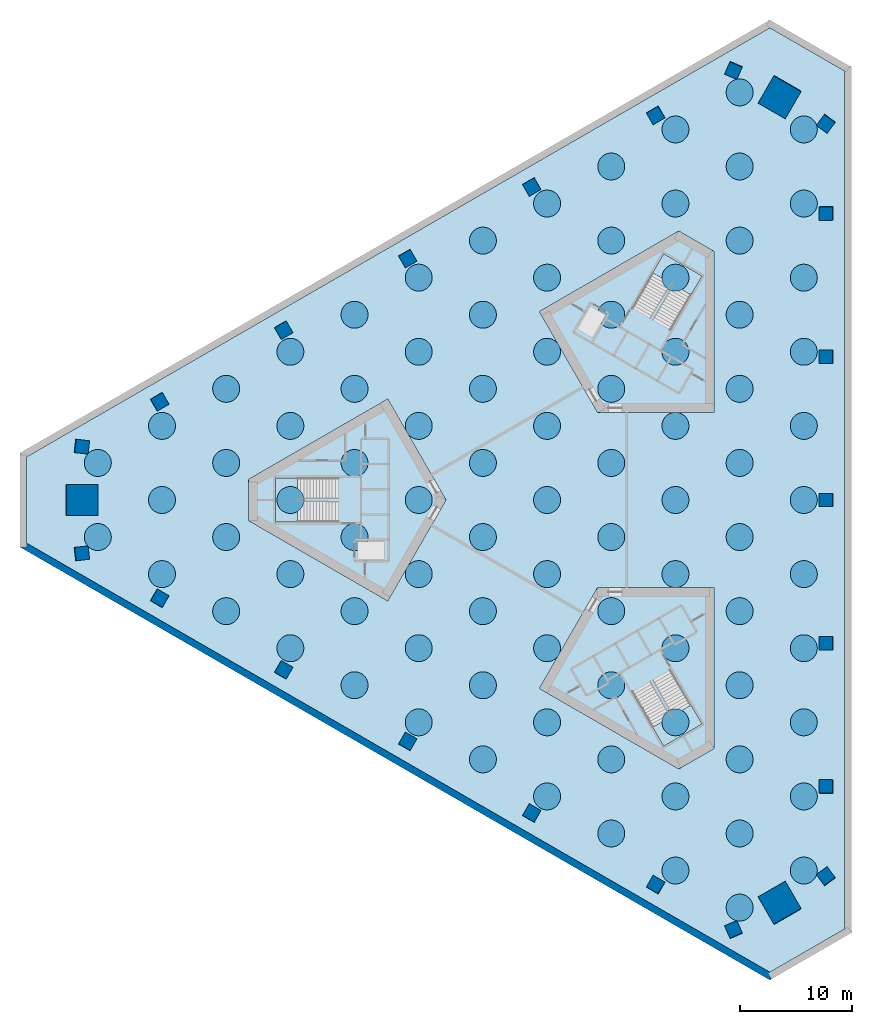
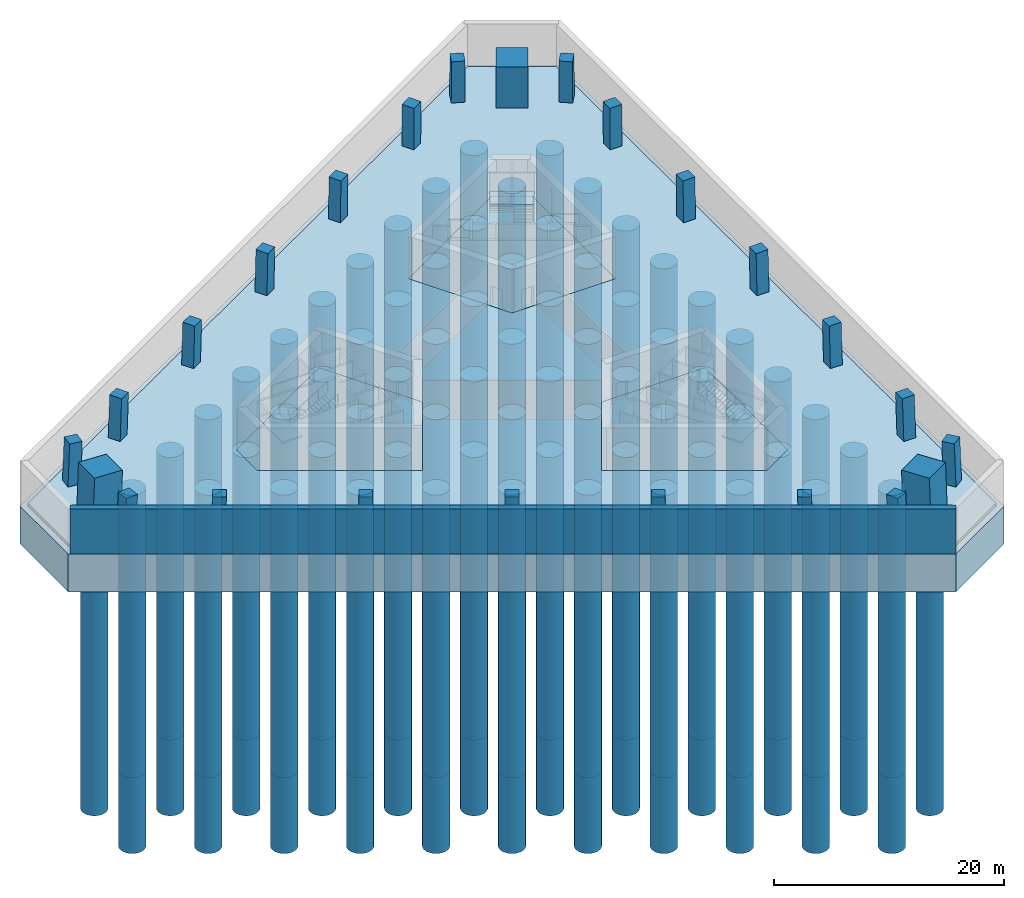
# One storey, part 1 of 7: 88 piles, 24 columns, 7 slabs, 1 footing, 1 wall, 3 elements without a shape of their own.
"""IFC4 building model written with IfcOpenShell, lengths in metres."""

from ifc_helpers import new_model, si_unit, direction, frame, frame_2d, origin, origin_2d, place, context, subcontext, project, spatial, polyline, rectangle, circle, outline, extrude, material, layer, layer_set, material_profile, profile_set, type_object, element, aggregate, save


model = new_model("IFC4")

# Units and contexts
model_context = context("Model", 3, precision=1e-05, world=origin(), true_north=direction((0.0, 1.0)))
body_context = subcontext(model_context, "Body", "Model", "MODEL_VIEW")
ifc_project = project(units=[si_unit("LENGTHUNIT", "METRE"), si_unit("AREAUNIT", "SQUARE_METRE"), si_unit("VOLUMEUNIT", "CUBIC_METRE"), si_unit("PLANEANGLEUNIT", "RADIAN"), si_unit("MASSUNIT", "GRAM", prefix="KILO")], contexts=[model_context])

# Site, building, storey
site_placement = place(None, origin())
site = spatial("IfcSite", under=ifc_project, at=site_placement, CompositionType="ELEMENT")
building_placement = place(site_placement, origin())
building = spatial("IfcBuilding", under=site, at=building_placement, Name="Jabali Bay Hotel Tower and Convention Centre", CompositionType="ELEMENT")
storey_placement = place(building_placement, frame((0.0, 0.0, -9.0)))
storey = spatial("IfcBuildingStorey", under=building, at=storey_placement, Name="B2", CompositionType="ELEMENT", Elevation=-9.0)

# Piles
ifc_material_1 = material(Name="Concrete C45", Category="concrete")
ifc_material_profile_1 = material_profile(ifc_material_1, circle(Radius=1.199951171875, at=origin_2d()), Name="Bored pile 2400")
ifc_profile_set_1 = profile_set([ifc_material_profile_1], Name="Concrete C45")
pile_type = type_object("IfcPileType", Name="Bored pile 2400", PredefinedType="BORED", material=ifc_profile_set_1)
for number, where, z_axis, x_axis, name in (
    (1, (92.147216796875, 43.699951171875, -4.199951171875), (0.0, 0.0, -1.0), (1.0, 0.0, 0.0), "Pile 001"),
    (2, (86.431640625, 47.0, -4.199951171875), (0.0, 0.0, -1.0), (1.0, 0.0, 0.0), "Pile 002"),
    (3, (97.863037109375, 47.0, -4.199951171875), (0.0, 0.0, -1.0), (1.0, 0.0, 0.0), "Pile 003"),
    (4, (80.7158203125, 50.300048828125, -4.199951171875), (0.0, 0.0, -1.0), (1.0, 0.0, 0.0), "Pile 004"),
    (5, (92.147216796875, 50.300048828125, -4.199951171875), (0.0, 0.0, -1.0), (1.0, 0.0, 0.0), "Pile 005"),
    (6, (75.0, 53.60009765625, -4.199951171875), (0.0, 0.0, -1.0), (1.0, 0.0, 0.0), "Pile 006"),
    (7, (86.431640625, 53.60009765625, -4.199951171875), (0.0, 0.0, -1.0), (1.0, 0.0, 0.0), "Pile 007"),
    (8, (97.863037109375, 53.60009765625, -4.199951171875), (0.0, 0.0, -1.0), (1.0, 0.0, 0.0), "Pile 008"),
    (9, (69.2841796875, 56.89990234375, -4.199951171875), (0.0, 0.0, -1.0), (1.0, 0.0, 0.0), "Pile 009"),
    (10, (80.7158203125, 56.89990234375, -4.199951171875), (0.0, 0.0, -1.0), (1.0, 0.0, 0.0), "Pile 010"),
    (11, (92.147216796875, 56.89990234375, -4.199951171875), (0.0, 0.0, -1.0), (1.0, 0.0, 0.0), "Pile 011"),
    (12, (63.568359375, 60.199951171875, -4.199951171875), (0.0, 0.0, -1.0), (1.0, 0.0, 0.0), "Pile 012"),
    (13, (75.0, 60.199951171875, -4.199951171875), (0.0, 0.0, -1.0), (1.0, 0.0, 0.0), "Pile 013"),
    (14, (86.431640625, 60.199951171875, -4.199951171875), (0.0, 0.0, -1.0), (1.0, 0.0, 0.0), "Pile 014"),
    (15, (97.863037109375, 60.199951171875, -4.199951171875), (0.0, 0.0, -1.0), (1.0, 0.0, 0.0), "Pile 015"),
    (16, (57.852783203125, 63.5, -4.199951171875), (0.0, 0.0, -1.0), (1.0, 0.0, 0.0), "Pile 016"),
    (17, (69.2841796875, 63.5, -4.199951171875), (0.0, 0.0, -1.0), (1.0, 0.0, 0.0), "Pile 017"),
    (18, (80.7158203125, 63.5, -4.199951171875), (0.0, 0.0, -1.0), (1.0, 0.0, 0.0), "Pile 018"),
    (19, (92.147216796875, 63.5, -4.199951171875), (0.0, 0.0, -1.0), (1.0, 0.0, 0.0), "Pile 019"),
    (20, (52.136962890625, 66.800048828125, -4.199951171875), (0.0, 0.0, -1.0), (1.0, 0.0, 0.0), "Pile 020"),
    (21, (63.568359375, 66.800048828125, -4.199951171875), (0.0, 0.0, -1.0), (1.0, 0.0, 0.0), "Pile 021"),
    (22, (75.0, 66.800048828125, -4.199951171875), (0.0, 0.0, -1.0), (1.0, 0.0, 0.0), "Pile 022"),
    (23, (86.431640625, 66.800048828125, -4.199951171875), (0.0, 0.0, -1.0), (1.0, 0.0, 0.0), "Pile 023"),
    (24, (97.863037109375, 66.800048828125, -4.199951171875), (0.0, 0.0, -1.0), (1.0, 0.0, 0.0), "Pile 024"),
    (25, (46.421142578125, 70.10009765625, -4.199951171875), (0.0, 0.0, -1.0), (1.0, 0.0, 0.0), "Pile 025"),
    (26, (57.852783203125, 70.10009765625, -4.199951171875), (0.0, 0.0, -1.0), (1.0, 0.0, 0.0), "Pile 026"),
    (27, (69.2841796875, 70.10009765625, -4.199951171875), (0.0, 0.0, -1.0), (1.0, 0.0, 0.0), "Pile 027"),
    (28, (80.7158203125, 70.10009765625, -4.199951171875), (0.0, 0.0, -1.0), (1.0, 0.0, 0.0), "Pile 028"),
    (29, (92.147216796875, 70.10009765625, -4.199951171875), (0.0, 0.0, -1.0), (1.0, 0.0, 0.0), "Pile 029"),
    (30, (40.705322265625, 73.39990234375, -4.199951171875), (0.0, 0.0, -1.0), (1.0, 0.0, 0.0), "Pile 030"),
    (31, (52.136962890625, 73.39990234375, -4.199951171875), (0.0, 0.0, -1.0), (1.0, 0.0, 0.0), "Pile 031"),
    (32, (63.568359375, 73.39990234375, -4.199951171875), (0.0, 0.0, -1.0), (1.0, 0.0, 0.0), "Pile 032"),
    (33, (75.0, 73.39990234375, -4.199951171875), (0.0, 0.0, -1.0), (1.0, 0.0, 0.0), "Pile 033"),
    (34, (86.431640625, 73.39990234375, -4.199951171875), (0.0, 0.0, -1.0), (1.0, 0.0, 0.0), "Pile 034"),
    (35, (97.863037109375, 73.39990234375, -4.199951171875), (0.0, 0.0, -1.0), (1.0, 0.0, 0.0), "Pile 035"),
    (36, (34.98974609375, 76.699951171875, -4.199951171875), (0.0, 0.0, -1.0), (1.0, 0.0, 0.0), "Pile 036"),
    (37, (46.421142578125, 76.699951171875, -4.199951171875), (0.0, 0.0, -1.0), (1.0, 0.0, 0.0), "Pile 037"),
    (38, (57.852783203125, 76.699951171875, -4.199951171875), (0.0, 0.0, -1.0), (1.0, 0.0, 0.0), "Pile 038"),
    (39, (69.2841796875, 76.699951171875, -4.199951171875), (0.0, 0.0, -1.0), (1.0, 0.0, 0.0), "Pile 039"),
    (40, (80.7158203125, 76.699951171875, -4.199951171875), (0.0, 0.0, -1.0), (1.0, 0.0, 0.0), "Pile 040"),
    (41, (92.147216796875, 76.699951171875, -4.199951171875), (0.0, 0.0, -1.0), (1.0, 0.0, 0.0), "Pile 041"),
    (42, (40.705322265625, 80.0, -4.199951171875), (0.0, 0.0, -1.0), (1.0, 0.0, 0.0), "Pile 042"),
    (43, (52.136962890625, 80.0, -4.199951171875), (0.0, 0.0, -1.0), (1.0, 0.0, 0.0), "Pile 043"),
    (44, (63.568359375, 80.0, -4.199951171875), (0.0, 0.0, -1.0), (1.0, 0.0, 0.0), "Pile 044"),
    (45, (75.0, 80.0, -4.199951171875), (0.0, 0.0, -1.0), (1.0, 0.0, 0.0), "Pile 045"),
    (46, (86.431640625, 80.0, -4.199951171875), (0.0, 0.0, -1.0), (1.0, 0.0, 0.0), "Pile 046"),
    (47, (97.863037109375, 80.0, -4.199951171875), (0.0, 0.0, -1.0), (1.0, 0.0, 0.0), "Pile 047"),
    (48, (34.98974609375, 83.300048828125, -4.199951171875), (0.0, 0.0, -1.0), (1.0, 0.0, 0.0), "Pile 048"),
    (49, (46.421142578125, 83.300048828125, -4.199951171875), (0.0, 0.0, -1.0), (1.0, 0.0, 0.0), "Pile 049"),
    (50, (57.852783203125, 83.300048828125, -4.199951171875), (0.0, 0.0, -1.0), (1.0, 0.0, 0.0), "Pile 050"),
    (51, (69.2841796875, 83.300048828125, -4.199951171875), (0.0, 0.0, -1.0), (1.0, 0.0, 0.0), "Pile 051"),
    (52, (80.7158203125, 83.300048828125, -4.199951171875), (0.0, 0.0, -1.0), (1.0, 0.0, 0.0), "Pile 052"),
    (53, (92.147216796875, 83.300048828125, -4.199951171875), (0.0, 0.0, -1.0), (1.0, 0.0, 0.0), "Pile 053"),
    (54, (40.705322265625, 86.60009765625, -4.199951171875), (0.0, 0.0, -1.0), (1.0, 0.0, 0.0), "Pile 054"),
    (55, (52.136962890625, 86.60009765625, -4.199951171875), (0.0, 0.0, -1.0), (1.0, 0.0, 0.0), "Pile 055"),
    (56, (63.568359375, 86.60009765625, -4.199951171875), (0.0, 0.0, -1.0), (1.0, 0.0, 0.0), "Pile 056"),
    (57, (75.0, 86.60009765625, -4.199951171875), (0.0, 0.0, -1.0), (1.0, 0.0, 0.0), "Pile 057"),
    (58, (86.431640625, 86.60009765625, -4.199951171875), (0.0, 0.0, -1.0), (1.0, 0.0, 0.0), "Pile 058"),
    (59, (97.863037109375, 86.60009765625, -4.199951171875), (0.0, 0.0, -1.0), (1.0, 0.0, 0.0), "Pile 059"),
    (60, (46.421142578125, 89.89990234375, -4.199951171875), (0.0, 0.0, -1.0), (1.0, 0.0, 0.0), "Pile 060"),
    (61, (57.852783203125, 89.89990234375, -4.199951171875), (0.0, 0.0, -1.0), (1.0, 0.0, 0.0), "Pile 061"),
    (62, (69.2841796875, 89.89990234375, -4.199951171875), (0.0, 0.0, -1.0), (1.0, 0.0, 0.0), "Pile 062"),
    (63, (80.7158203125, 89.89990234375, -4.199951171875), (0.0, 0.0, -1.0), (1.0, 0.0, 0.0), "Pile 063"),
    (64, (92.147216796875, 89.89990234375, -4.199951171875), (0.0, 0.0, -1.0), (1.0, 0.0, 0.0), "Pile 064"),
    (65, (52.136962890625, 93.199951171875, -4.199951171875), (0.0, 0.0, -1.0), (1.0, 0.0, 0.0), "Pile 065"),
    (66, (63.568359375, 93.199951171875, -4.199951171875), (0.0, 0.0, -1.0), (1.0, 0.0, 0.0), "Pile 066"),
    (67, (75.0, 93.199951171875, -4.199951171875), (0.0, 0.0, -1.0), (1.0, 0.0, 0.0), "Pile 067"),
    (68, (86.431640625, 93.199951171875, -4.199951171875), (0.0, 0.0, -1.0), (1.0, 0.0, 0.0), "Pile 068"),
    (69, (97.863037109375, 93.199951171875, -4.199951171875), (0.0, 0.0, -1.0), (1.0, 0.0, 0.0), "Pile 069"),
    (70, (57.852783203125, 96.5, -4.199951171875), (0.0, 0.0, -1.0), (1.0, 0.0, 0.0), "Pile 070"),
    (71, (69.2841796875, 96.5, -4.199951171875), (0.0, 0.0, -1.0), (1.0, 0.0, 0.0), "Pile 071"),
    (72, (80.7158203125, 96.5, -4.199951171875), (0.0, 0.0, -1.0), (1.0, 0.0, 0.0), "Pile 072"),
    (73, (92.147216796875, 96.5, -4.199951171875), (0.0, 0.0, -1.0), (1.0, 0.0, 0.0), "Pile 073"),
    (74, (63.568359375, 99.800048828125, -4.199951171875), (0.0, 0.0, -1.0), (1.0, 0.0, 0.0), "Pile 074"),
    (75, (75.0, 99.800048828125, -4.199951171875), (0.0, 0.0, -1.0), (1.0, 0.0, 0.0), "Pile 075"),
    (76, (86.431640625, 99.800048828125, -4.199951171875), (0.0, 0.0, -1.0), (1.0, 0.0, 0.0), "Pile 076"),
    (77, (97.863037109375, 99.800048828125, -4.199951171875), (0.0, 0.0, -1.0), (1.0, 0.0, 0.0), "Pile 077"),
    (78, (69.2841796875, 103.10009765625, -4.199951171875), (0.0, 0.0, -1.0), (1.0, 0.0, 0.0), "Pile 078"),
    (79, (80.7158203125, 103.10009765625, -4.199951171875), (0.0, 0.0, -1.0), (1.0, 0.0, 0.0), "Pile 079"),
    (80, (92.147216796875, 103.10009765625, -4.199951171875), (0.0, 0.0, -1.0), (1.0, 0.0, 0.0), "Pile 080"),
    (81, (75.0, 106.39990234375, -4.199951171875), (0.0, 0.0, -1.0), (1.0, 0.0, 0.0), "Pile 081"),
    (82, (86.431640625, 106.39990234375, -4.199951171875), (0.0, 0.0, -1.0), (1.0, 0.0, 0.0), "Pile 082"),
    (83, (97.863037109375, 106.39990234375, -4.199951171875), (0.0, 0.0, -1.0), (1.0, 0.0, 0.0), "Pile 083"),
    (84, (80.7158203125, 109.699951171875, -4.199951171875), (0.0, 0.0, -1.0), (1.0, 0.0, 0.0), "Pile 084"),
    (85, (92.147216796875, 109.699951171875, -4.199951171875), (0.0, 0.0, -1.0), (1.0, 0.0, 0.0), "Pile 085"),
    (86, (86.431640625, 113.0, -4.199951171875), (0.0, 0.0, -1.0), (1.0, 0.0, 0.0), "Pile 086"),
    (87, (97.863037109375, 113.0, -4.199951171875), (0.0, 0.0, -1.0), (1.0, 0.0, 0.0), "Pile 087"),
    (88, (92.147216796875, 116.300048828125, -4.199951171875), (0.0, 0.0, -1.0), (1.0, 0.0, 0.0), "Pile 088"),
):
    element("IfcPile", number, at=place(storey_placement, frame(where, z_axis=z_axis, x_axis=x_axis)), inside=storey, type_object=pile_type, Name=name, PredefinedType="BORED", context=body_context, shape_type="SweptSolid", body=[
        extrude(circle(Radius=1.199951171875, at=origin_2d()), origin(), (0.0, 0.0, 1.0), 30.0),
    ])

# Footing
ifc_layer_1 = layer(ifc_material_1, 4.0)
ifc_layer_set_1 = layer_set([ifc_layer_1], Name="Concrete C45")
footing_type = type_object("IfcFootingType", Name="Raft 4000", PredefinedType="PILE_CAP", material=ifc_layer_set_1)
footing_placement = place(storey_placement, frame((0.0, 0.0, -4.300048828125)))
element("IfcFooting", 89, at=footing_placement, inside=storey, type_object=footing_type, Name="Tower raft", PredefinedType="PILE_CAP", context=body_context, shape_type="SweptSolid", body=[
    extrude(outline(polyline([(102.10009765625, 41.44482421875), (102.10009765625, 118.55517578125), (94.83984375, 122.746826171875), (28.060302734375, 84.191650390625), (28.060302734375, 75.808349609375), (94.83984375, 37.253173828125), (102.10009765625, 41.44482421875)])), origin(), (0.0, 0.0, 1.0), 4.0),
])

# Columns
ifc_material_2 = material(Name="Concrete C60", Category="concrete")
ifc_material_profile_2 = material_profile(ifc_material_2, rectangle(XDim=1.199951171875, YDim=1.199951171875, at=origin_2d()), Name="Frame column 1200")
ifc_profile_set_2 = profile_set([ifc_material_profile_2], Name="Concrete C60")
column_type_1 = type_object("IfcColumnType", Name="Frame column 1200", PredefinedType="COLUMN", material=ifc_profile_set_2)
column_1_placement = place(storey_placement, frame((84.677734375, 114.274169921875, -0.300048828125), z_axis=(-0.008337799131, -0.028114651949, 0.999569931246), x_axis=(0.86545664457, 0.500530934548, 0.021297416027)))
element("IfcColumn", 90, at=column_1_placement, inside=storey, type_object=column_type_1, Name="FC1 F1.1 B2", PredefinedType="COLUMN", context=body_context, shape_type="SweptSolid", body=[
    extrude(rectangle(XDim=1.199951171875, YDim=1.199951171875, at=origin_2d()), origin(), (0.0, 0.0, 1.0), 4.802001953125),
])
column_2_placement = place(storey_placement, frame((73.628173828125, 107.89453125, -0.300048828125), z_axis=(0.000813582352, -0.022780305861, 0.999740164117), x_axis=(0.866986369617, 0.49821810193, 0.0106469624)))
element("IfcColumn", 91, at=column_2_placement, inside=storey, type_object=column_type_1, Name="FC1 F1.2 B2", PredefinedType="COLUMN", context=body_context, shape_type="SweptSolid", body=[
    extrude(rectangle(XDim=1.199951171875, YDim=1.199951171875, at=origin_2d()), origin(), (0.0, 0.0, 1.0), 4.80126953125),
])
column_3_placement = place(storey_placement, frame((62.578369140625, 101.51513671875, -0.300048828125), z_axis=(0.010068646813, -0.017493002544, 0.999796287857), x_axis=(-0.49873793017, 0.866517797984, 0.020183725786)))
element("IfcColumn", 92, at=column_3_placement, inside=storey, type_object=column_type_1, Name="FC1 F1.3 B2", PredefinedType="COLUMN", context=body_context, shape_type="SweptSolid", body=[
    extrude(rectangle(XDim=1.199951171875, YDim=1.199951171875, at=origin_2d()), origin(), (0.0, 0.0, 1.0), 4.801025390625),
])
column_4_placement = place(storey_placement, frame((51.528564453125, 95.135498046875, -0.300048828125), z_axis=(0.01932256685, -0.012152877571, 0.999739439043), x_axis=(-0.499610582411, 0.866014947085, 0.02018359156)))
element("IfcColumn", 93, at=column_4_placement, inside=storey, type_object=column_type_1, Name="FC1 F1.4 B2", PredefinedType="COLUMN", context=body_context, shape_type="SweptSolid", body=[
    extrude(rectangle(XDim=1.199951171875, YDim=1.199951171875, at=origin_2d()), origin(), (0.0, 0.0, 1.0), 4.80126953125),
])
for number, where, z_axis, x_axis, name in (
    (94, (40.478759765625, 88.755859375, -0.300048828125), (0.028572173663, -0.006812582333, 0.999568516718), (-0.499950657544, 0.865818473614, 0.020191849092), "FC1 F1.5 B2"),
    (95, (40.478759765625, 71.244140625, -0.300048828125), (0.028572173663, 0.006812582333, 0.999568516718), (-0.865582446052, 0.500311862212, 0.021332360772), "FC1 F2.1 B2"),
):
    element("IfcColumn", number, at=place(storey_placement, frame(where, z_axis=z_axis, x_axis=x_axis)), inside=storey, type_object=column_type_1, Name=name, PredefinedType="COLUMN", context=body_context, shape_type="SweptSolid", body=[
        extrude(rectangle(XDim=1.199951171875, YDim=1.199951171875, at=origin_2d()), origin(), (0.0, 0.0, 1.0), 4.802001953125),
    ])
column_5_placement = place(storey_placement, frame((51.528564453125, 64.864501953125, -0.300048828125), z_axis=(0.01932256685, 0.012152877571, 0.999739439043), x_axis=(-0.866034586118, 0.499870402197, 0.010661925467)))
element("IfcColumn", 96, at=column_5_placement, inside=storey, type_object=column_type_1, Name="FC1 F2.2 B2", PredefinedType="COLUMN", context=body_context, shape_type="SweptSolid", body=[
    extrude(rectangle(XDim=1.199951171875, YDim=1.199951171875, at=origin_2d()), origin(), (0.0, 0.0, 1.0), 4.80126953125),
])
column_6_placement = place(storey_placement, frame((62.578369140625, 58.48486328125, -0.300048828125), z_axis=(0.010068646813, 0.017493002544, 0.999796287857), x_axis=(-0.866694351753, 0.498839554004, 2.37784e-07)))
element("IfcColumn", 97, at=column_6_placement, inside=storey, type_object=column_type_1, Name="FC1 F2.3 B2", PredefinedType="COLUMN", context=body_context, shape_type="SweptSolid", body=[
    extrude(rectangle(XDim=1.199951171875, YDim=1.199951171875, at=origin_2d()), origin(), (0.0, 0.0, 1.0), 4.801025390625),
])
column_7_placement = place(storey_placement, frame((73.628173828125, 52.10546875, -0.300048828125), z_axis=(0.000813582352, 0.022780305861, 0.999740164117), x_axis=(-0.498331188049, -0.866752433267, 0.020155556132)))
element("IfcColumn", 98, at=column_7_placement, inside=storey, type_object=column_type_1, Name="FC1 F2.4 B2", PredefinedType="COLUMN", context=body_context, shape_type="SweptSolid", body=[
    extrude(rectangle(XDim=1.199951171875, YDim=1.199951171875, at=origin_2d()), origin(), (0.0, 0.0, 1.0), 4.80126953125),
])
for number, where, z_axis, x_axis, name in (
    (99, (84.677734375, 45.725830078125, -0.300048828125), (-0.008337799131, 0.028114651949, 0.999569931246), (-0.500914441272, -0.865262012286, 0.020158685948), "FC1 F2.5 B2"),
    (100, (99.843505859375, 54.481689453125, -0.300048828125), (-0.020183562598, 0.021302047175, 0.999569330555), (0.000292241344, -0.999772824749, 0.021312284898), "FC1 F0.1 B2"),
):
    element("IfcColumn", number, at=place(storey_placement, frame(where, z_axis=z_axis, x_axis=x_axis)), inside=storey, type_object=column_type_1, Name=name, PredefinedType="COLUMN", context=body_context, shape_type="SweptSolid", body=[
        extrude(rectangle(XDim=1.199951171875, YDim=1.199951171875, at=origin_2d()), origin(), (0.0, 0.0, 1.0), 4.802001953125),
    ])
column_8_placement = place(storey_placement, frame((99.843505859375, 67.24072265625, -0.300048828125), z_axis=(-0.020186992566, 0.010678258032, 0.999739196059), x_axis=(-0.000672701564, -0.999942881258, 0.010666850239)))
element("IfcColumn", 101, at=column_8_placement, inside=storey, type_object=column_type_1, Name="FC1 F0.2 B2", PredefinedType="COLUMN", context=body_context, shape_type="SweptSolid", body=[
    extrude(rectangle(XDim=1.199951171875, YDim=1.199951171875, at=origin_2d()), origin(), (0.0, 0.0, 1.0), 4.80126953125),
])
column_9_placement = place(storey_placement, frame((99.843505859375, 80.0, -0.300048828125), z_axis=(-0.020188143577, 0.0, 0.999796198662), x_axis=(0.0, -1.0, 0.0)))
element("IfcColumn", 102, at=column_9_placement, inside=storey, type_object=column_type_1, Name="FC1 F0.3 B2", PredefinedType="COLUMN", context=body_context, shape_type="SweptSolid", body=[
    extrude(rectangle(XDim=1.199951171875, YDim=1.199951171875, at=origin_2d()), origin(), (0.0, 0.0, 1.0), 4.801025390625),
])
column_10_placement = place(storey_placement, frame((99.843505859375, 92.75927734375, -0.300048828125), z_axis=(-0.020186992566, -0.010678258032, 0.999739196059), x_axis=(0.999795995593, 0.000457194495, 0.020193022791)))
element("IfcColumn", 103, at=column_10_placement, inside=storey, type_object=column_type_1, Name="FC1 F0.4 B2", PredefinedType="COLUMN", context=body_context, shape_type="SweptSolid", body=[
    extrude(rectangle(XDim=1.199951171875, YDim=1.199951171875, at=origin_2d()), origin(), (0.0, 0.0, 1.0), 4.80126953125),
])
column_11_placement = place(storey_placement, frame((99.843505859375, 105.518310546875, -0.300048828125), z_axis=(-0.020183562598, -0.021302047175, 0.999569330555), x_axis=(0.999796248441, -0.000722273321, 0.020172752053)))
element("IfcColumn", 104, at=column_11_placement, inside=storey, type_object=column_type_1, Name="FC1 F0.5 B2", PredefinedType="COLUMN", context=body_context, shape_type="SweptSolid", body=[
    extrude(rectangle(XDim=1.199951171875, YDim=1.199951171875, at=origin_2d()), origin(), (0.0, 0.0, 1.0), 4.802001953125),
])
for number, where, z_axis, x_axis, name in (
    (105, (99.843505859375, 46.474853515625, -0.300048828125), (-0.020179638547, 0.029024114888, 0.999374996157), (-0.803615328769, -0.595148120018, 0.001057641575), "FC1 V0 B2"),
    (106, (99.843505859375, 113.525146484375, -0.300048828125), (-0.020179638547, -0.029024114888, 0.999374996157), (0.594806847267, 0.803091723275, 0.035334097572), "FC1 V1 B2"),
    (107, (91.61181640625, 118.277587890625, -0.300048828125), (-0.015045783482, -0.0319722899, 0.999375503541), (0.917146235756, -0.398549450312, 0.001057305403), "FC1 V2 B2"),
    (108, (33.544677734375, 84.75244140625, -0.300048828125), (0.035225416074, -0.002948158921, 0.999375043926), (-0.992952362494, 0.113124721047, 0.035332751184), "FC1 V3 B2"),
    (109, (33.544677734375, 75.24755859375, -0.300048828125), (0.035225416074, 0.002948158921, 0.999375043926), (-0.113158189631, 0.993576421745, 0.001057484001), "FC1 V4 B2"),
    (110, (91.61181640625, 41.722412109375, -0.300048828125), (-0.015045783482, 0.0319722899, 0.999375503541), (0.398266753117, -0.916589389167, 0.035319754067), "FC1 V5 B2"),
):
    element("IfcColumn", number, at=place(storey_placement, frame(where, z_axis=z_axis, x_axis=x_axis)), inside=storey, type_object=column_type_1, Name=name, PredefinedType="COLUMN", context=body_context, shape_type="SweptSolid", body=[
        extrude(rectangle(XDim=1.199951171875, YDim=1.199951171875, at=origin_2d()), origin(), (0.0, 0.0, 1.0), 4.802978515625),
    ])
ifc_material_3 = material(Name="Concrete C70", Category="concrete")
ifc_material_profile_3 = material_profile(ifc_material_3, rectangle(XDim=2.800048828125, YDim=2.800048828125, at=origin_2d()), Name="Mega column 2800")
ifc_profile_set_3 = profile_set([ifc_material_profile_3], Name="Concrete C70")
column_type_2 = type_object("IfcColumnType", Name="Mega column 2800", PredefinedType="COLUMN", material=ifc_profile_set_3)
for number, where, z_axis, x_axis, name in (
    (111, (95.7275390625, 115.9013671875, -0.300048828125), (-0.017587381416, -0.030498349276, 0.9993800752), (0.86628226566, -0.499554838034, 3.8711e-08), "MC1 M1 B2"),
    (112, (33.544677734375, 80.0, -0.300048828125), (0.035225569159, 0.0, 0.999379387059), (0.0, 1.0, 0.0), "MC1 M0 B2"),
    (113, (95.7275390625, 44.0986328125, -0.300048828125), (-0.017587381416, 0.030498349276, 0.9993800752), (0.49924515042, -0.86574523648, 0.035206040585), "MC1 M2 B2"),
):
    element("IfcColumn", number, at=place(storey_placement, frame(where, z_axis=z_axis, x_axis=x_axis)), inside=storey, type_object=column_type_2, Name=name, PredefinedType="COLUMN", context=body_context, shape_type="SweptSolid", body=[
        extrude(rectangle(XDim=2.800048828125, YDim=2.800048828125, at=origin_2d()), origin(), (0.0, 0.0, 1.0), 4.802978515625),
    ])

# Slabs
ifc_material_4 = material(Name="Concrete C40", Category="concrete")
ifc_layer_2 = layer(ifc_material_4, 0.300048828125)
ifc_layer_set_2 = layer_set([ifc_layer_2], Name="Concrete C40")
slab_type_1 = type_object("IfcSlabType", Name="Base slab 300", PredefinedType="BASESLAB", material=ifc_layer_set_2)
slab_1_placement = place(storey_placement, frame((0.0, 0.0, -0.300048828125)))
element("IfcSlab", 114, at=slab_1_placement, inside=storey, type_object=slab_type_1, Name="Floor slab B2", PredefinedType="BASESLAB", context=body_context, shape_type="SweptSolid", body=[
    extrude(outline(polyline([(28.66015625, 83.84521484375), (94.83984375, 122.053955078125), (101.5, 118.208740234375), (101.5, 41.791259765625), (94.83984375, 37.946044921875), (28.66015625, 76.15478515625), (28.66015625, 83.84521484375)]), holes=[polyline([(48.39697265625, 78.17724609375), (60.81005859375, 71.0107421875), (66.0, 80.0), (60.81005859375, 88.9892578125), (48.39697265625, 81.82275390625), (48.39697265625, 78.17724609375)]), polyline([(89.8798828125, 102.127685546875), (86.72314453125, 103.9501953125), (74.31005859375, 96.78369140625), (79.5, 87.794189453125), (89.8798828125, 87.794189453125), (89.8798828125, 102.127685546875)]), polyline([(74.31005859375, 63.21630859375), (86.72314453125, 56.0498046875), (89.8798828125, 57.872314453125), (89.8798828125, 72.205810546875), (79.5, 72.205810546875), (74.31005859375, 63.21630859375)])]), origin(), (0.0, 0.0, 1.0), 0.300048828125),
])
ifc_layer_3 = layer(ifc_material_4, 0.300048828125)
ifc_layer_set_3 = layer_set([ifc_layer_3], Name="Concrete C40")
slab_type_2 = type_object("IfcSlabType", Name="Core floor slab 300", PredefinedType="FLOOR", material=ifc_layer_set_3)
slab_2_placement = place(storey_placement, frame((0.0, 0.0, -0.300048828125)))
element("IfcSlab", 115, at=slab_2_placement, inside=storey, type_object=slab_type_2, Name="Core floor slab 1 B2", PredefinedType="FLOOR", context=body_context, shape_type="SweptSolid", body=[
    extrude(outline(polyline([(66.0, 80.0), (60.81005859375, 88.9892578125), (48.39697265625, 81.82275390625), (48.39697265625, 78.17724609375), (60.81005859375, 71.0107421875), (66.0, 80.0)])), origin(), (0.0, 0.0, 1.0), 0.300048828125),
])
slab_3_placement = place(storey_placement, frame((0.0, 0.0, -0.300048828125)))
element("IfcSlab", 116, at=slab_3_placement, inside=storey, type_object=slab_type_2, Name="Core floor slab 2 B2", PredefinedType="FLOOR", context=body_context, shape_type="SweptSolid", body=[
    extrude(outline(polyline([(79.5, 87.794189453125), (89.8798828125, 87.794189453125), (89.8798828125, 102.127685546875), (86.72314453125, 103.9501953125), (74.31005859375, 96.78369140625), (79.5, 87.794189453125)])), origin(), (0.0, 0.0, 1.0), 0.300048828125),
])
slab_4_placement = place(storey_placement, frame((0.0, 0.0, -0.300048828125)))
element("IfcSlab", 117, at=slab_4_placement, inside=storey, type_object=slab_type_2, Name="Core floor slab 3 B2", PredefinedType="FLOOR", context=body_context, shape_type="SweptSolid", body=[
    extrude(outline(polyline([(79.5, 72.205810546875), (74.31005859375, 63.21630859375), (86.72314453125, 56.0498046875), (89.8798828125, 57.872314453125), (89.8798828125, 72.205810546875), (79.5, 72.205810546875)])), origin(), (0.0, 0.0, 1.0), 0.300048828125),
])

# Stair, slab
stair_type = type_object("IfcStairType", Name="Exit stair 1900", PredefinedType="HALF_TURN_STAIR", material=ifc_material_4)
stair_1_placement = place(storey_placement, origin())
stair_1 = element("IfcStair", 118, at=stair_1_placement, inside=storey, type_object=stair_type, Name="B2 Exit Stair 1", PredefinedType="HALF_TURN_STAIR")
ifc_layer_4 = layer(ifc_material_4, 0.199951171875)
ifc_layer_set_4 = layer_set([ifc_layer_4], Name="Concrete C40")
slab_type_3 = type_object("IfcSlabType", Name="Stair landing 200", PredefinedType="LANDING", material=ifc_layer_set_4)
slab_5_placement = place(storey_placement, frame((0.0, 0.0, 2.050048828125)))
slab_5 = element("IfcSlab", 119, at=slab_5_placement, type_object=slab_type_3, Name="ST1 landing 1", PredefinedType="LANDING", context=body_context, shape_type="SweptSolid", body=[
    extrude(outline(polyline([(52.782958984375, 81.97509765625), (50.820068359375, 81.97509765625), (50.820068359375, 78.02490234375), (52.782958984375, 78.02490234375), (52.782958984375, 81.97509765625)])), origin(), (0.0, 0.0, 1.0), 0.199951171875),
])
aggregate(stair_1, [slab_5])

stair_2_placement = place(storey_placement, origin())
stair_2 = element("IfcStair", 120, at=stair_2_placement, inside=storey, type_object=stair_type, Name="B2 Exit Stair 2", PredefinedType="HALF_TURN_STAIR")
slab_6_placement = place(storey_placement, frame((0.0, 0.0, 2.050048828125)))
slab_6 = element("IfcSlab", 121, at=slab_6_placement, type_object=slab_type_3, Name="ST2 landing 1", PredefinedType="LANDING", context=body_context, shape_type="SweptSolid", body=[
    extrude(outline(polyline([(87.81884765625, 98.2529296875), (88.80029296875, 99.952880859375), (85.379638671875, 101.927978515625), (84.398193359375, 100.22802734375), (87.81884765625, 98.2529296875)])), origin(), (0.0, 0.0, 1.0), 0.199951171875),
])
aggregate(stair_2, [slab_6])

stair_3_placement = place(storey_placement, origin())
stair_3 = element("IfcStair", 122, at=stair_3_placement, inside=storey, type_object=stair_type, Name="B2 Exit Stair 3", PredefinedType="HALF_TURN_STAIR")
slab_7_placement = place(storey_placement, frame((0.0, 0.0, 2.050048828125)))
slab_7 = element("IfcSlab", 123, at=slab_7_placement, type_object=slab_type_3, Name="ST3 landing 1", PredefinedType="LANDING", context=body_context, shape_type="SweptSolid", body=[
    extrude(outline(polyline([(84.398193359375, 59.77197265625), (85.379638671875, 58.072021484375), (88.80029296875, 60.047119140625), (87.81884765625, 61.7470703125), (84.398193359375, 59.77197265625)])), origin(), (0.0, 0.0, 1.0), 0.199951171875),
])
aggregate(stair_3, [slab_7])

# Wall
ifc_layer_5 = layer(ifc_material_4, 0.60009765625)
ifc_layer_set_5 = layer_set([ifc_layer_5], Name="Concrete C40")
wall_type = type_object("IfcWallType", Name="Retaining wall 600", PredefinedType="SOLIDWALL", material=ifc_layer_set_5)
wall_placement = place(storey_placement, frame((28.3603515625, 75.9814453125, -0.300048828125), z_axis=(0.0, 0.0, 1.0), x_axis=(0.866025364439, -0.500000068148, 0.0)))
element("IfcWall", 124, at=wall_placement, inside=storey, type_object=wall_type, Name="Retaining wall B2 5", PredefinedType="SOLIDWALL", context=body_context, shape_type="SweptSolid", body=[
    extrude(rectangle(XDim=76.93701171875, YDim=0.60009765625, at=frame_2d((38.468505859375, 0.0))), origin(), (0.0, 0.0, 1.0), 4.800048828125),
])

save(model, "model.ifc")
